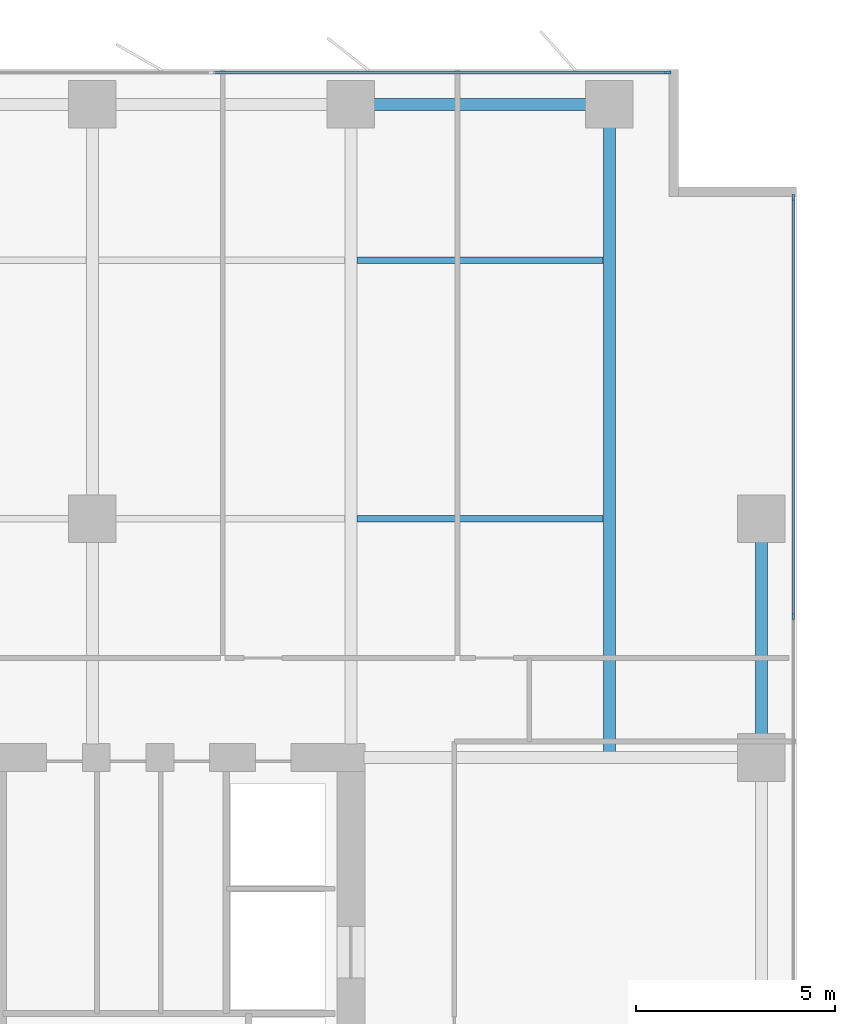
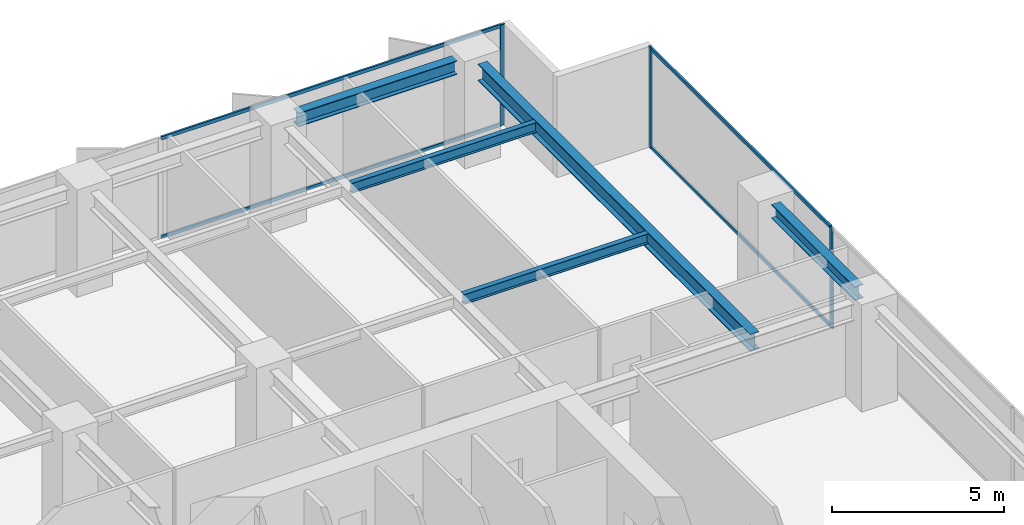
# One storey, part 11 of 20: 7 members, 5 beams, 2 elements without a shape of their own.
"""IFC4 building model written with IfcOpenShell, lengths in metres."""

from ifc_helpers import new_model, si_unit, direction, frame, origin, origin_2d, place, context, subcontext, project, spatial, rectangle, i_section, extrude, material, layer, layer_set, material_profile, profile_set, type_object, element, aggregate, save


model = new_model("IFC4")

# Units and contexts
model_context = context("Model", 3, precision=1e-05, world=origin(), true_north=direction((0.0, 1.0)))
body_context = subcontext(model_context, "Body", "Model", "MODEL_VIEW")
ifc_project = project(units=[si_unit("LENGTHUNIT", "METRE"), si_unit("AREAUNIT", "SQUARE_METRE"), si_unit("VOLUMEUNIT", "CUBIC_METRE"), si_unit("PLANEANGLEUNIT", "RADIAN"), si_unit("MASSUNIT", "GRAM", prefix="KILO")], contexts=[model_context])

# Site, building, storey
site_placement = place(None, origin())
site = spatial("IfcSite", under=ifc_project, at=site_placement, CompositionType="ELEMENT")
building_placement = place(site_placement, origin())
building = spatial("IfcBuilding", under=site, at=building_placement, Name="Putna Gate Headquarters", CompositionType="ELEMENT")
storey_placement = place(building_placement, frame((0.0, 0.0, 108.800048828125)))
storey = spatial("IfcBuildingStorey", under=building, at=storey_placement, Name="L26", CompositionType="ELEMENT", Elevation=108.800048828125)

# Beams
ifc_material_1 = material(Name="Steel S355J2", Category="steel")
ifc_material_profile_1 = material_profile(ifc_material_1, i_section(OverallWidth=0.300048828125, OverallDepth=0.60009765625, WebThickness=0.015380859375, FlangeThickness=0.030029296875, at=origin_2d()), Name="Steel S355J2")
ifc_profile_set_1 = profile_set([ifc_material_profile_1], Name="Steel S355J2")
beam_type_1 = type_object("IfcBeamType", Name="BM-GIRD-Z2-HEB600", PredefinedType="USERDEFINED", material=ifc_profile_set_1)
beam_1_placement = place(storey_placement, frame((71.5, 33.011962890625, 3.264892578125), z_axis=(0.0, 1.0, 0.0), x_axis=(-1.0, 0.0, 0.0)))
element("IfcBeam", 1, at=beam_1_placement, inside=storey, type_object=beam_type_1, Name="L26 North Primary Girder X71", ObjectType="GIRDER", PredefinedType="USERDEFINED", context=body_context, shape_type="SweptSolid", body=[
    extrude(i_section(OverallWidth=0.300048828125, OverallDepth=0.60009765625, WebThickness=0.015380859375, FlangeThickness=0.030029296875, at=origin_2d()), origin(), (0.0, 0.0, 1.0), 15.820068359375),
])
ifc_material_profile_2 = material_profile(ifc_material_1, i_section(OverallWidth=0.169921875, OverallDepth=0.360107421875, WebThickness=0.008056640625, FlangeThickness=0.0126953125, at=origin_2d()), Name="Steel S355J2")
ifc_profile_set_2 = profile_set([ifc_material_profile_2], Name="Steel S355J2")
beam_type_2 = type_object("IfcBeamType", Name="BM-SEC-Z2-IPE360", PredefinedType="BEAM", material=ifc_profile_set_2)
for number, where, z_axis, x_axis, name in (
    (2, (65.154052734375, 39.0, 3.385009765625), (1.0, 0.0, 0.0), (0.0, 1.0, 0.0), "L26 North Secondary Beam 10"),
    (3, (65.154052734375, 45.5, 3.385009765625), (1.0, 0.0, 0.0), (0.0, 1.0, 0.0), "L26 North Secondary Beam 10"),
):
    element("IfcBeam", number, at=place(storey_placement, frame(where, z_axis=z_axis, x_axis=x_axis)), inside=storey, type_object=beam_type_2, Name=name, PredefinedType="BEAM", context=body_context, shape_type="SweptSolid", body=[
        extrude(i_section(OverallWidth=0.169921875, OverallDepth=0.360107421875, WebThickness=0.008056640625, FlangeThickness=0.0126953125, at=origin_2d()), origin(), (0.0, 0.0, 1.0), 6.19189453125),
    ])
ifc_material_profile_3 = material_profile(ifc_material_1, i_section(OverallWidth=0.300048828125, OverallDepth=0.489990234375, WebThickness=0.011962890625, FlangeThickness=0.02294921875, at=origin_2d()), Name="Steel S355J2")
ifc_profile_set_3 = profile_set([ifc_material_profile_3], Name="Steel S355J2")
beam_type_3 = type_object("IfcBeamType", Name="BM-SPAN-Z2-HEA500", PredefinedType="SPANDREL", material=ifc_profile_set_3)
beam_2_placement = place(storey_placement, frame((65.587890625, 49.419921875, 3.320068359375), z_axis=(1.0, 0.0, 0.0), x_axis=(0.0, 1.0, 0.0)))
element("IfcBeam", 4, at=beam_2_placement, inside=storey, type_object=beam_type_3, Name="L26 N Perimeter Spandrel 10", PredefinedType="SPANDREL", context=body_context, shape_type="SweptSolid", body=[
    extrude(i_section(OverallWidth=0.300048828125, OverallDepth=0.489990234375, WebThickness=0.011962890625, FlangeThickness=0.02294921875, at=origin_2d()), origin(), (0.0, 0.0, 1.0), 5.32421875),
])
beam_3_placement = place(storey_placement, frame((75.320068359375, 33.587890625, 3.320068359375), z_axis=(0.0, 1.0, 0.0), x_axis=(-1.0, 0.0, 0.0)))
element("IfcBeam", 5, at=beam_3_placement, inside=storey, type_object=beam_type_3, Name="L26 E End Spandrel 3", PredefinedType="SPANDREL", context=body_context, shape_type="SweptSolid", body=[
    extrude(i_section(OverallWidth=0.300048828125, OverallDepth=0.489990234375, WebThickness=0.011962890625, FlangeThickness=0.02294921875, at=origin_2d()), origin(), (0.0, 0.0, 1.0), 4.82421875),
])

# Curtain wall, member
ifc_material_2 = material(Name="Anodised bronze aluminium curtain wall", Category="aluminium")
ifc_layer = layer(ifc_material_2, 0.159912109375)
ifc_layer_set = layer_set([ifc_layer], Name="Anodised bronze aluminium curtain wall")
curtain_wall_type = type_object("IfcCurtainWallType", Name="CW-SYS-Z2", PredefinedType="USERDEFINED", material=ifc_layer_set)
curtain_wall_1_placement = place(storey_placement, origin())
curtain_wall_1 = element("IfcCurtainWall", 6, at=curtain_wall_1_placement, inside=storey, type_object=curtain_wall_type, Name="L26 North East Curtain Wall", ObjectType="STICK CURTAIN WALL", PredefinedType="USERDEFINED")
ifc_material_3 = material(Name="Anodised bronze aluminium EN AW-6060", Category="aluminium")
ifc_material_profile_4 = material_profile(ifc_material_3, rectangle(XDim=0.06494140625, YDim=0.159912109375, at=origin_2d()), Name="Anodised bronze aluminium EN AW-6060")
ifc_profile_set_4 = profile_set([ifc_material_profile_4], Name="Anodised bronze aluminium EN AW-6060")
member_type_1 = type_object("IfcMemberType", Name="MULL-CWM-2", PredefinedType="MULLION", material=ifc_profile_set_4)
member_1_placement = place(storey_placement, frame((72.967529296875, 50.219970703125, 0.0), z_axis=(0.0, 0.0, 1.0), x_axis=(0.0, 1.0, 0.0)))
member_1 = element("IfcMember", 7, at=member_1_placement, type_object=member_type_1, Name="CWS-2 mullion 3", PredefinedType="MULLION", context=body_context, shape_type="SweptSolid", body=[
    extrude(rectangle(XDim=0.06494140625, YDim=0.159912109375, at=origin_2d()), origin(), (0.0, 0.0, 1.0), 3.56494140625),
])

# Curtain wall, members
curtain_wall_2_placement = place(storey_placement, origin())
curtain_wall_2 = element("IfcCurtainWall", 8, at=curtain_wall_2_placement, inside=storey, type_object=curtain_wall_type, Name="L26 East Curtain Wall", ObjectType="STICK CURTAIN WALL", PredefinedType="USERDEFINED")
member_2_placement = place(storey_placement, frame((76.1201171875, 36.550048828125, 0.0), z_axis=(0.0, 0.0, 1.0), x_axis=(-1.0, 0.0, 0.0)))
member_2 = element("IfcMember", 9, at=member_2_placement, type_object=member_type_1, Name="CWS-2 mullion 4", PredefinedType="MULLION", context=body_context, shape_type="SweptSolid", body=[
    extrude(rectangle(XDim=0.06494140625, YDim=0.159912109375, at=origin_2d()), origin(), (0.0, 0.0, 1.0), 3.56494140625),
])
member_3_placement = place(storey_placement, frame((76.1201171875, 47.0673828125, 0.0), z_axis=(0.0, 0.0, 1.0), x_axis=(-1.0, 0.0, 0.0)))
member_3 = element("IfcMember", 10, at=member_3_placement, type_object=member_type_1, Name="CWS-2 mullion 5", PredefinedType="MULLION", context=body_context, shape_type="SweptSolid", body=[
    extrude(rectangle(XDim=0.06494140625, YDim=0.159912109375, at=origin_2d()), origin(), (0.0, 0.0, 1.0), 3.56494140625),
])

# Member
ifc_material_profile_5 = material_profile(ifc_material_3, rectangle(XDim=0.06494140625, YDim=0.1201171875, at=origin_2d()), Name="Anodised bronze aluminium EN AW-6060")
ifc_profile_set_5 = profile_set([ifc_material_profile_5], Name="Anodised bronze aluminium EN AW-6060")
member_type_2 = type_object("IfcMemberType", Name="TRAN-CWT-2", PredefinedType="USERDEFINED", material=ifc_profile_set_5)
member_4_placement = place(storey_placement, frame((61.532470703125, 50.219970703125, 0.032470703125), z_axis=(1.0, 0.0, 0.0), x_axis=(0.0, 1.0, 0.0)))
member_4 = element("IfcMember", 11, at=member_4_placement, type_object=member_type_2, Name="CWS-2 transom 2.1", ObjectType="TRANSOM", PredefinedType="USERDEFINED", context=body_context, shape_type="SweptSolid", body=[
    extrude(rectangle(XDim=0.06494140625, YDim=0.1201171875, at=origin_2d()), origin(), (0.0, 0.0, 1.0), 11.402587890625),
])

member_5_placement = place(storey_placement, frame((61.532470703125, 50.219970703125, 3.532470703125), z_axis=(1.0, 0.0, 0.0), x_axis=(0.0, 1.0, 0.0)))
member_5 = element("IfcMember", 12, at=member_5_placement, type_object=member_type_2, Name="CWS-2 transom 2.2", ObjectType="TRANSOM", PredefinedType="USERDEFINED", context=body_context, shape_type="SweptSolid", body=[
    extrude(rectangle(XDim=0.06494140625, YDim=0.1201171875, at=origin_2d()), origin(), (0.0, 0.0, 1.0), 11.402587890625),
])

aggregate(curtain_wall_1, [member_1, member_4, member_5])

member_6_placement = place(storey_placement, frame((76.1201171875, 36.58251953125, 0.032470703125), z_axis=(0.0, 1.0, 0.0), x_axis=(-1.0, 0.0, 0.0)))
member_6 = element("IfcMember", 13, at=member_6_placement, type_object=member_type_2, Name="CWS-2 transom 4.1", ObjectType="TRANSOM", PredefinedType="USERDEFINED", context=body_context, shape_type="SweptSolid", body=[
    extrude(rectangle(XDim=0.06494140625, YDim=0.1201171875, at=origin_2d()), origin(), (0.0, 0.0, 1.0), 10.452392578125),
])

member_7_placement = place(storey_placement, frame((76.1201171875, 36.58251953125, 3.532470703125), z_axis=(0.0, 1.0, 0.0), x_axis=(-1.0, 0.0, 0.0)))
member_7 = element("IfcMember", 14, at=member_7_placement, type_object=member_type_2, Name="CWS-2 transom 4.2", ObjectType="TRANSOM", PredefinedType="USERDEFINED", context=body_context, shape_type="SweptSolid", body=[
    extrude(rectangle(XDim=0.06494140625, YDim=0.1201171875, at=origin_2d()), origin(), (0.0, 0.0, 1.0), 10.452392578125),
])

aggregate(curtain_wall_2, [member_2, member_3, member_6, member_7])

save(model, "model.ifc")
